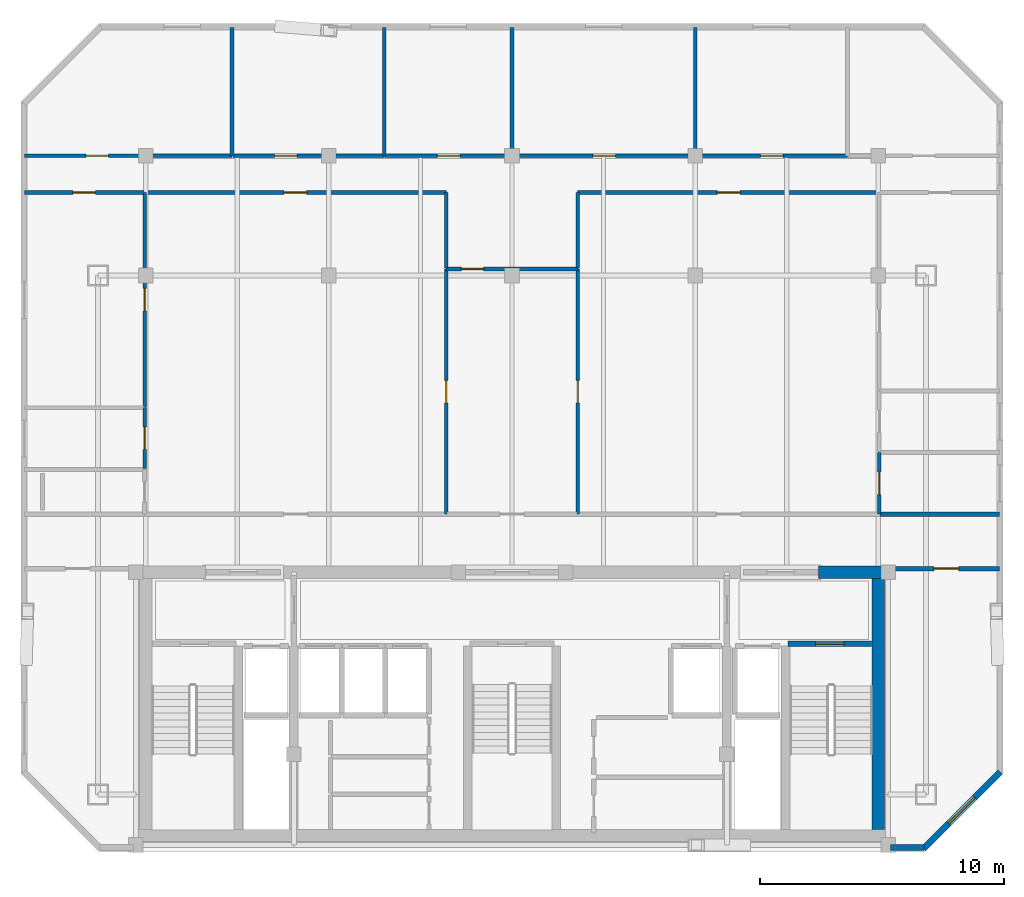
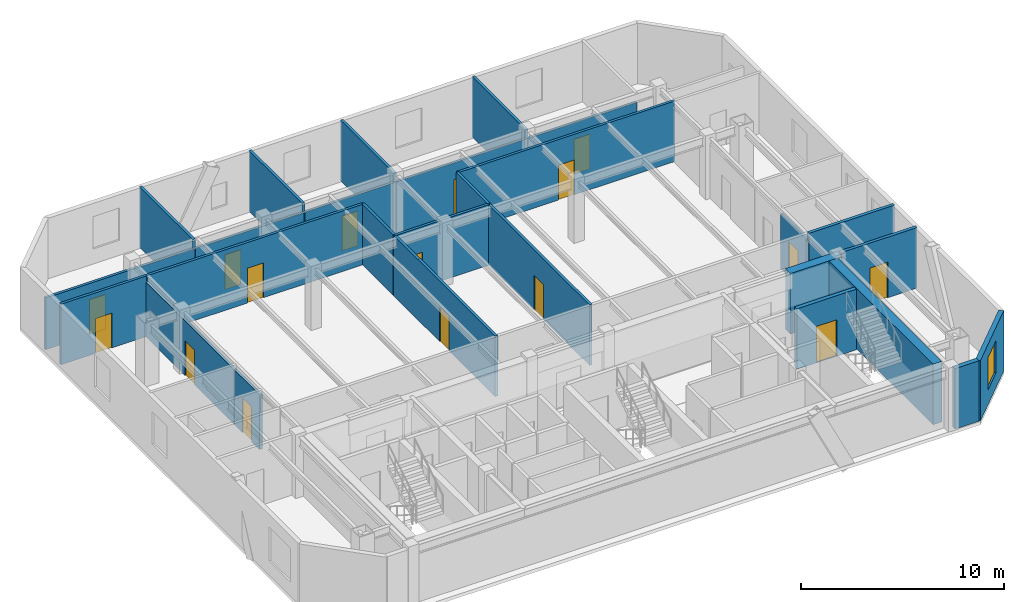
# One storey, part 4 of 6: 27 walls, 16 doors, 1 window, 17 openings.
"""IFC4 building model written with IfcOpenShell, lengths in metres."""

from ifc_helpers import new_model, si_unit, direction, frame, frame_2d, origin, place, context, subcontext, project, spatial, rectangle, extrude, material, layer, layer_set, type_object, element, fill, save


model = new_model("IFC4")

# Units and contexts
model_context = context("Model", 3, precision=1e-05, world=origin(), true_north=direction((0.0, 1.0)))
body_context = subcontext(model_context, "Body", "Model", "MODEL_VIEW")
ifc_project = project(units=[si_unit("LENGTHUNIT", "METRE"), si_unit("AREAUNIT", "SQUARE_METRE"), si_unit("VOLUMEUNIT", "CUBIC_METRE"), si_unit("PLANEANGLEUNIT", "RADIAN"), si_unit("MASSUNIT", "GRAM", prefix="KILO")], contexts=[model_context])

# Site, building, storey
site_placement = place(None, origin())
site = spatial("IfcSite", under=ifc_project, at=site_placement, CompositionType="ELEMENT")
building_placement = place(site_placement, origin())
building = spatial("IfcBuilding", under=site, at=building_placement, Name="Ventersveld Concourse Tower", CompositionType="ELEMENT")
storey_placement = place(building_placement, frame((0.0, 0.0, 296.449951171875)))
storey = spatial("IfcBuildingStorey", under=building, at=storey_placement, Name="L73", CompositionType="ELEMENT", Elevation=296.449951171875)

# Walls
ifc_material_1 = material(Name="Concrete C50/60", Category="concrete")
ifc_layer_1 = layer(ifc_material_1, 0.5)
ifc_layer_set_1 = layer_set([ifc_layer_1], Name="Concrete C50/60")
wall_type_1 = type_object("IfcWallType", Name="WL-CORE-500", PredefinedType="SHEAR", material=ifc_layer_set_1)
wall_1_placement = place(storey_placement, frame((43.75, 0.919921875, 0.0), z_axis=(0.0, 0.0, 1.0), x_axis=(0.0, 1.0, 0.0)))
element("IfcWall", 1, at=wall_1_placement, inside=storey, type_object=wall_type_1, Name="L73 Rear Core East Shear Wall", PredefinedType="SHEAR", context=body_context, shape_type="SweptSolid", body=[
    extrude(rectangle(XDim=10.530029296875, YDim=0.5, at=frame_2d((5.26513671875, 0.0))), origin(), (0.0, 0.0, 1.0), 3.650146484375),
])
wall_2_placement = place(storey_placement, frame((41.300048828125, 11.449951171875, 0.0), z_axis=(0.0, 0.0, 1.0), x_axis=(1.0, 0.0, 0.0)))
element("IfcWall", 2, at=wall_2_placement, inside=storey, type_object=wall_type_1, Name="L73 Rear Core North Shear Wall NE", PredefinedType="SHEAR", context=body_context, shape_type="SweptSolid", body=[
    extrude(rectangle(XDim=2.949951171875, YDim=0.5, at=frame_2d((1.47509765625, 0.0))), origin(), (0.0, 0.0, 1.0), 3.650146484375),
])

# Wall, opening, door
ifc_material_2 = material(Name="Fire-rated autoclaved aerated masonry blockwork", Category="masonry")
ifc_layer_2 = layer(ifc_material_2, 0.179931640625)
ifc_layer_set_2 = layer_set([ifc_layer_2], Name="Fire-rated autoclaved aerated masonry blockwork")
wall_type_2 = type_object("IfcWallType", Name="WL-CORR-180", PredefinedType="PARTITIONING", material=ifc_layer_set_2)
wall_3_placement = place(storey_placement, frame((44.35498046875, 11.60009765625, 0.0), z_axis=(0.0, 0.0, 1.0), x_axis=(1.0, 0.0, 0.0)))
wall_3 = element("IfcWall", 3, at=wall_3_placement, inside=storey, type_object=wall_type_2, Name="L73 Interior Partition SP-L73-SE-OFF-SP-L73-COR", PredefinedType="PARTITIONING", context=body_context, shape_type="SweptSolid", body=[
    extrude(rectangle(XDim=4.35791015625, YDim=0.179931640625, at=frame_2d((2.178955078125, 0.0))), origin(), (0.0, 0.0, 1.0), 3.650146484375),
])
opening_1_placement = place(wall_3_placement, frame((1.678955078125, 0.0, 0.0)))
opening_1 = element("IfcOpeningElement", 4, at=opening_1_placement, cuts=wall_3, Name="Opening FD3", PredefinedType="OPENING", context=body_context, shape_type="SweptSolid", body=[
    extrude(rectangle(XDim=1.0, YDim=2.14990234375, at=frame_2d((0.5, 1.074951171875))), frame((0.0, 0.10009765625, 0.0), z_axis=(0.0, -1.0, 0.0), x_axis=(1.0, 0.0, 0.0)), (0.0, 0.0, 1.0), 0.199951171875),
])
ifc_material_3 = material(Name="Solid-core hardwood veneer timber", Category="wood")
door_type_1 = type_object("IfcDoorType", Name="DR-FLAT-100", OperationType="NOTDEFINED", PredefinedType="DOOR", material=ifc_material_3)
door_1_placement = place(opening_1_placement, origin())
door_1 = element("IfcDoor", 5, at=door_1_placement, inside=storey, type_object=door_type_1, Name="L73 Interior Door SP-L73-SE-OFF to SP-L73-COR (D-L73-3381)", OperationType="SINGLE_SWING_LEFT", OverallHeight=2.14990234375, OverallWidth=1.0, PredefinedType="DOOR", context=body_context, shape_type="SweptSolid", body=[
    extrude(rectangle(XDim=1.0, YDim=2.14990234375, at=frame_2d((0.5, 1.074951171875))), frame((0.0, 0.02490234375, 0.0), z_axis=(0.0, -1.0, 0.0), x_axis=(1.0, 0.0, 0.0)), (0.0, 0.0, 1.0), 0.050048828125),
])
fill(opening_1, door_1)

# Wall
wall_4_placement = place(storey_placement, frame((43.827392578125, 13.830078125, 0.0), z_axis=(0.0, 0.0, 1.0), x_axis=(1.0, 0.0, 0.0)))
element("IfcWall", 6, at=wall_4_placement, inside=storey, type_object=wall_type_2, Name="L73 Interior Partition SP-L73-COR-SP-L73-73N1-KIT", PredefinedType="PARTITIONING", context=body_context, shape_type="SweptSolid", body=[
    extrude(rectangle(XDim=4.885498046875, YDim=0.179931640625, at=frame_2d((2.44287109375, 0.0))), origin(), (0.0, 0.0, 1.0), 3.650146484375),
])

# Wall, opening, door
ifc_layer_3 = layer(ifc_material_2, 0.219970703125)
ifc_layer_set_3 = layer_set([ifc_layer_3], Name="Fire-rated autoclaved aerated masonry blockwork")
wall_type_3 = type_object("IfcWallType", Name="WL-HOIST-220", PredefinedType="SOLIDWALL", material=ifc_layer_set_3)
wall_5_placement = place(storey_placement, frame((40.06005859375, 8.52001953125, 0.0), z_axis=(0.0, 0.0, 1.0), x_axis=(1.0, 0.0, 0.0)))
wall_5 = element("IfcWall", 7, at=wall_5_placement, inside=storey, type_object=wall_type_3, Name="L73 Escape Stair ST02 Fire Wall", PredefinedType="SOLIDWALL", context=body_context, shape_type="SweptSolid", body=[
    extrude(rectangle(XDim=3.39990234375, YDim=0.219970703125, at=frame_2d((1.699951171875, 0.0))), origin(), (0.0, 0.0, 1.0), 3.650146484375),
])
opening_2_placement = place(wall_5_placement, frame((1.125, 0.0, 0.0)))
opening_2 = element("IfcOpeningElement", 8, at=opening_2_placement, cuts=wall_5, Name="Opening FD1", PredefinedType="OPENING", context=body_context, shape_type="SweptSolid", body=[
    extrude(rectangle(XDim=1.14990234375, YDim=2.199951171875, at=frame_2d((0.574951171875, 1.10009765625))), frame((0.0, 0.1201171875, 0.0), z_axis=(0.0, -1.0, 0.0), x_axis=(1.0, 0.0, 0.0)), (0.0, 0.0, 1.0), 0.239990234375),
])
ifc_material_4 = material(Name="Galvanised painted steel", Category="steel")
door_type_2 = type_object("IfcDoorType", Name="DR-STAIR-115", OperationType="NOTDEFINED", PredefinedType="DOOR", material=ifc_material_4)
door_2_placement = place(opening_2_placement, origin())
door_2 = element("IfcDoor", 9, at=door_2_placement, inside=storey, type_object=door_type_2, Name="L73 Escape Stair Door ST02 (SD-L73-3368)", OperationType="SINGLE_SWING_RIGHT", OverallHeight=2.199951171875, OverallWidth=1.14990234375, PredefinedType="DOOR", context=body_context, shape_type="SweptSolid", body=[
    extrude(rectangle(XDim=1.14990234375, YDim=2.199951171875, at=frame_2d((0.574951171875, 1.10009765625))), frame((0.0, 0.02490234375, 0.0), z_axis=(0.0, -1.0, 0.0), x_axis=(1.0, 0.0, 0.0)), (0.0, 0.0, 1.0), 0.050048828125),
])
fill(opening_2, door_2)

ifc_material_5 = material(Name="Autoclaved aerated masonry blockwork", Category="masonry")
ifc_layer_4 = layer(ifc_material_5, 0.14990234375)
ifc_layer_set_4 = layer_set([ifc_layer_4], Name="Autoclaved aerated masonry blockwork")
wall_type_4 = type_object("IfcWallType", Name="WL-INT-150", PredefinedType="PARTITIONING", material=ifc_layer_set_4)
wall_6_placement = place(storey_placement, frame((26.06005859375, 13.824951171875, 0.0), z_axis=(0.0, 0.0, 1.0), x_axis=(0.0, 1.0, 0.0)))
wall_6 = element("IfcWall", 10, at=wall_6_placement, inside=storey, type_object=wall_type_4, Name="L73 Interior Partition SP-L73-73N1-WGAL1-SP-L73-73N1-FOY", PredefinedType="PARTITIONING", context=body_context, shape_type="SweptSolid", body=[
    extrude(rectangle(XDim=10.04736328125, YDim=0.14990234375, at=frame_2d((5.023681640625, 0.0))), origin(), (0.0, 0.0, 1.0), 3.650146484375),
])
opening_3_placement = place(wall_6_placement, frame((4.563720703125, 0.0, 0.0)))
opening_3 = element("IfcOpeningElement", 11, at=opening_3_placement, cuts=wall_6, Name="Opening ID1", PredefinedType="OPENING", context=body_context, shape_type="SweptSolid", body=[
    extrude(rectangle(XDim=0.919921875, YDim=2.10009765625, at=frame_2d((0.4599609375, 1.050048828125))), frame((0.0, 0.0849609375, 0.0), z_axis=(0.0, -1.0, 0.0), x_axis=(1.0, 0.0, 0.0)), (0.0, 0.0, 1.0), 0.169921875),
])
door_type_3 = type_object("IfcDoorType", Name="DR-ROOM-092", OperationType="NOTDEFINED", PredefinedType="DOOR", material=ifc_material_3)
door_3_placement = place(opening_3_placement, origin())
door_3 = element("IfcDoor", 12, at=door_3_placement, inside=storey, type_object=door_type_3, Name="L73 Interior Door SP-L73-73N1-WGAL1 to SP-L73-73N1-FOY (D-L73-3385)", OperationType="SINGLE_SWING_LEFT", OverallHeight=2.10009765625, OverallWidth=0.919921875, PredefinedType="DOOR", context=body_context, shape_type="SweptSolid", body=[
    extrude(rectangle(XDim=0.919921875, YDim=2.10009765625, at=frame_2d((0.4599609375, 1.050048828125))), frame((0.0, 0.02490234375, 0.0), z_axis=(0.0, -1.0, 0.0), x_axis=(1.0, 0.0, 0.0)), (0.0, 0.0, 1.0), 0.050048828125),
])
fill(opening_3, door_3)

wall_7_placement = place(storey_placement, frame((13.702392578125, 27.0, 0.0), z_axis=(0.0, 0.0, 1.0), x_axis=(1.0, 0.0, 0.0)))
wall_7 = element("IfcWall", 13, at=wall_7_placement, inside=storey, type_object=wall_type_4, Name="L73 Interior Partition SP-L73-73N1-WGAL1-SP-L73-73N1-LIV", PredefinedType="PARTITIONING", context=body_context, shape_type="SweptSolid", body=[
    extrude(rectangle(XDim=12.362548828125, YDim=0.14990234375, at=frame_2d((6.18115234375, 0.0))), origin(), (0.0, 0.0, 1.0), 3.650146484375),
])
opening_4_placement = place(wall_7_placement, frame((5.72119140625, 0.0, 0.0)))
opening_4 = element("IfcOpeningElement", 14, at=opening_4_placement, cuts=wall_7, Name="Opening ID1", PredefinedType="OPENING", context=body_context, shape_type="SweptSolid", body=[
    extrude(rectangle(XDim=0.919921875, YDim=2.10009765625, at=frame_2d((0.4599609375, 1.050048828125))), frame((0.0, 0.0849609375, 0.0), z_axis=(0.0, -1.0, 0.0), x_axis=(1.0, 0.0, 0.0)), (0.0, 0.0, 1.0), 0.169921875),
])
door_4_placement = place(opening_4_placement, origin())
door_4 = element("IfcDoor", 15, at=door_4_placement, inside=storey, type_object=door_type_3, Name="L73 Interior Door SP-L73-73N1-WGAL1 to SP-L73-73N1-LIV (D-L73-3386)", OperationType="SINGLE_SWING_RIGHT", OverallHeight=2.10009765625, OverallWidth=0.919921875, PredefinedType="DOOR", context=body_context, shape_type="SweptSolid", body=[
    extrude(rectangle(XDim=0.919921875, YDim=2.10009765625, at=frame_2d((0.4599609375, 1.050048828125))), frame((0.0, 0.02490234375, 0.0), z_axis=(0.0, -1.0, 0.0), x_axis=(1.0, 0.0, 0.0)), (0.0, 0.0, 1.0), 0.050048828125),
])
fill(opening_4, door_4)

# Wall
wall_8_placement = place(storey_placement, frame((26.06005859375, 23.90234375, 0.0), z_axis=(0.0, 0.0, 1.0), x_axis=(0.0, 1.0, 0.0)))
element("IfcWall", 16, at=wall_8_placement, inside=storey, type_object=wall_type_4, Name="L73 Interior Partition SP-L73-73N1-WGAL1-SP-L73-73N1-LIV", PredefinedType="PARTITIONING", context=body_context, shape_type="SweptSolid", body=[
    extrude(rectangle(XDim=3.1025390625, YDim=0.14990234375, at=frame_2d((1.55126953125, 0.0))), origin(), (0.0, 0.0, 1.0), 3.650146484375),
])

# Wall, opening, door
wall_9_placement = place(storey_placement, frame((13.70751953125, 15.695068359375, 0.0), z_axis=(0.0, 0.0, 1.0), x_axis=(0.0, 1.0, 0.0)))
wall_9 = element("IfcWall", 17, at=wall_9_placement, inside=storey, type_object=wall_type_4, Name="L73 Interior Partition SP-L73-73N1-WGAL1-SP-L73-73N1-PANL2", PredefinedType="PARTITIONING", context=body_context, shape_type="SweptSolid", body=[
    extrude(rectangle(XDim=2.491455078125, YDim=0.14990234375, at=frame_2d((1.24560546875, 0.0))), origin(), (0.0, 0.0, 1.0), 3.295166015625),
])
opening_5_placement = place(wall_9_placement, frame((0.785888671875, 0.0, 0.0)))
opening_5 = element("IfcOpeningElement", 18, at=opening_5_placement, cuts=wall_9, Name="Opening ID1", PredefinedType="OPENING", context=body_context, shape_type="SweptSolid", body=[
    extrude(rectangle(XDim=0.919921875, YDim=2.10009765625, at=frame_2d((0.4599609375, 1.050048828125))), frame((0.0, 0.0849609375, 0.0), z_axis=(0.0, -1.0, 0.0), x_axis=(1.0, 0.0, 0.0)), (0.0, 0.0, 1.0), 0.169921875),
])
door_5_placement = place(opening_5_placement, origin())
door_5 = element("IfcDoor", 19, at=door_5_placement, inside=storey, type_object=door_type_3, Name="L73 Interior Door SP-L73-73N1-WGAL1 to SP-L73-73N1-PANL2 (D-L73-3388)", OperationType="SINGLE_SWING_RIGHT", OverallHeight=2.10009765625, OverallWidth=0.919921875, PredefinedType="DOOR", context=body_context, shape_type="SweptSolid", body=[
    extrude(rectangle(XDim=0.919921875, YDim=2.10009765625, at=frame_2d((0.4599609375, 1.050048828125))), frame((0.0, 0.02490234375, 0.0), z_axis=(0.0, -1.0, 0.0), x_axis=(1.0, 0.0, 0.0)), (0.0, 0.0, 1.0), 0.050048828125),
])
fill(opening_5, door_5)

wall_10_placement = place(storey_placement, frame((13.70751953125, 18.216552734375, 0.0), z_axis=(0.0, 0.0, 1.0), x_axis=(0.0, 1.0, 0.0)))
wall_10 = element("IfcWall", 20, at=wall_10_placement, inside=storey, type_object=wall_type_4, Name="L73 Interior Partition SP-L73-73N1-WGAL1-SP-L73-73N1-OFFL0", PredefinedType="PARTITIONING", context=body_context, shape_type="SweptSolid", body=[
    extrude(rectangle(XDim=8.788330078125, YDim=0.14990234375, at=frame_2d((4.39404296875, 0.0))), origin(), (0.0, 0.0, 1.0), 3.295166015625),
])
opening_6_placement = place(wall_10_placement, frame((3.93408203125, 0.0, 0.0)))
opening_6 = element("IfcOpeningElement", 21, at=opening_6_placement, cuts=wall_10, Name="Opening ID1", PredefinedType="OPENING", context=body_context, shape_type="SweptSolid", body=[
    extrude(rectangle(XDim=0.919921875, YDim=2.10009765625, at=frame_2d((0.4599609375, 1.050048828125))), frame((0.0, 0.0849609375, 0.0), z_axis=(0.0, -1.0, 0.0), x_axis=(1.0, 0.0, 0.0)), (0.0, 0.0, 1.0), 0.169921875),
])
door_6_placement = place(opening_6_placement, origin())
door_6 = element("IfcDoor", 22, at=door_6_placement, inside=storey, type_object=door_type_3, Name="L73 Interior Door SP-L73-73N1-WGAL1 to SP-L73-73N1-OFFL0 (D-L73-3389)", OperationType="SINGLE_SWING_LEFT", OverallHeight=2.10009765625, OverallWidth=0.919921875, PredefinedType="DOOR", context=body_context, shape_type="SweptSolid", body=[
    extrude(rectangle(XDim=0.919921875, YDim=2.10009765625, at=frame_2d((0.4599609375, 1.050048828125))), frame((0.0, 0.02490234375, 0.0), z_axis=(0.0, -1.0, 0.0), x_axis=(1.0, 0.0, 0.0)), (0.0, 0.0, 1.0), 0.050048828125),
])
fill(opening_6, door_6)

wall_11_placement = place(storey_placement, frame((31.43994140625, 13.824951171875, 0.0), z_axis=(0.0, 0.0, 1.0), x_axis=(0.0, 1.0, 0.0)))
wall_11 = element("IfcWall", 23, at=wall_11_placement, inside=storey, type_object=wall_type_4, Name="L73 Interior Partition SP-L73-73N1-EGAL1-SP-L73-73N1-FOY", PredefinedType="PARTITIONING", context=body_context, shape_type="SweptSolid", body=[
    extrude(rectangle(XDim=10.04736328125, YDim=0.14990234375, at=frame_2d((5.023681640625, 0.0))), origin(), (0.0, 0.0, 1.0), 3.650146484375),
])
opening_7_placement = place(wall_11_placement, frame((4.563720703125, 0.0, 0.0)))
opening_7 = element("IfcOpeningElement", 24, at=opening_7_placement, cuts=wall_11, Name="Opening ID1", PredefinedType="OPENING", context=body_context, shape_type="SweptSolid", body=[
    extrude(rectangle(XDim=0.919921875, YDim=2.10009765625, at=frame_2d((0.4599609375, 1.050048828125))), frame((0.0, 0.0849609375, 0.0), z_axis=(0.0, -1.0, 0.0), x_axis=(1.0, 0.0, 0.0)), (0.0, 0.0, 1.0), 0.169921875),
])
door_7_placement = place(opening_7_placement, origin())
door_7 = element("IfcDoor", 25, at=door_7_placement, inside=storey, type_object=door_type_3, Name="L73 Interior Door SP-L73-73N1-EGAL1 to SP-L73-73N1-FOY (D-L73-3390)", OperationType="SINGLE_SWING_RIGHT", OverallHeight=2.10009765625, OverallWidth=0.919921875, PredefinedType="DOOR", context=body_context, shape_type="SweptSolid", body=[
    extrude(rectangle(XDim=0.919921875, YDim=2.10009765625, at=frame_2d((0.4599609375, 1.050048828125))), frame((0.0, 0.02490234375, 0.0), z_axis=(0.0, -1.0, 0.0), x_axis=(1.0, 0.0, 0.0)), (0.0, 0.0, 1.0), 0.050048828125),
])
fill(opening_7, door_7)

wall_12_placement = place(storey_placement, frame((31.43505859375, 27.0, 0.0), z_axis=(0.0, 0.0, 1.0), x_axis=(1.0, 0.0, 0.0)))
wall_12 = element("IfcWall", 26, at=wall_12_placement, inside=storey, type_object=wall_type_4, Name="L73 Interior Partition SP-L73-73N1-EGAL1-SP-L73-73N1-LIV", PredefinedType="PARTITIONING", context=body_context, shape_type="SweptSolid", body=[
    extrude(rectangle(XDim=12.362548828125, YDim=0.14990234375, at=frame_2d((6.18115234375, 0.0))), origin(), (0.0, 0.0, 1.0), 3.650146484375),
])
opening_8_placement = place(wall_12_placement, frame((5.72119140625, 0.0, 0.0)))
opening_8 = element("IfcOpeningElement", 27, at=opening_8_placement, cuts=wall_12, Name="Opening ID1", PredefinedType="OPENING", context=body_context, shape_type="SweptSolid", body=[
    extrude(rectangle(XDim=0.919921875, YDim=2.10009765625, at=frame_2d((0.4599609375, 1.050048828125))), frame((0.0, 0.0849609375, 0.0), z_axis=(0.0, -1.0, 0.0), x_axis=(1.0, 0.0, 0.0)), (0.0, 0.0, 1.0), 0.169921875),
])
door_8_placement = place(opening_8_placement, origin())
door_8 = element("IfcDoor", 28, at=door_8_placement, inside=storey, type_object=door_type_3, Name="L73 Interior Door SP-L73-73N1-EGAL1 to SP-L73-73N1-LIV (D-L73-3391)", OperationType="SINGLE_SWING_LEFT", OverallHeight=2.10009765625, OverallWidth=0.919921875, PredefinedType="DOOR", context=body_context, shape_type="SweptSolid", body=[
    extrude(rectangle(XDim=0.919921875, YDim=2.10009765625, at=frame_2d((0.4599609375, 1.050048828125))), frame((0.0, 0.02490234375, 0.0), z_axis=(0.0, -1.0, 0.0), x_axis=(1.0, 0.0, 0.0)), (0.0, 0.0, 1.0), 0.050048828125),
])
fill(opening_8, door_8)

# Wall
wall_13_placement = place(storey_placement, frame((31.43994140625, 23.90234375, 0.0), z_axis=(0.0, 0.0, 1.0), x_axis=(0.0, 1.0, 0.0)))
element("IfcWall", 29, at=wall_13_placement, inside=storey, type_object=wall_type_4, Name="L73 Interior Partition SP-L73-73N1-EGAL1-SP-L73-73N1-LIV", PredefinedType="PARTITIONING", context=body_context, shape_type="SweptSolid", body=[
    extrude(rectangle(XDim=3.1025390625, YDim=0.14990234375, at=frame_2d((1.55126953125, 0.0))), origin(), (0.0, 0.0, 1.0), 3.650146484375),
])

# Wall, opening, door
wall_14_placement = place(storey_placement, frame((43.79248046875, 13.824951171875, 0.0), z_axis=(0.0, 0.0, 1.0), x_axis=(0.0, 1.0, 0.0)))
wall_14 = element("IfcWall", 30, at=wall_14_placement, inside=storey, type_object=wall_type_4, Name="L73 Interior Partition SP-L73-73N1-EGAL1-SP-L73-73N1-KIT", PredefinedType="PARTITIONING", context=body_context, shape_type="SweptSolid", body=[
    extrude(rectangle(XDim=2.531494140625, YDim=0.14990234375, at=frame_2d((1.265625, 0.0))), origin(), (0.0, 0.0, 1.0), 3.295166015625),
])
opening_9_placement = place(wall_14_placement, frame((0.805908203125, 0.0, 0.0)))
opening_9 = element("IfcOpeningElement", 31, at=opening_9_placement, cuts=wall_14, Name="Opening ID1", PredefinedType="OPENING", context=body_context, shape_type="SweptSolid", body=[
    extrude(rectangle(XDim=0.919921875, YDim=2.10009765625, at=frame_2d((0.4599609375, 1.050048828125))), frame((0.0, 0.0849609375, 0.0), z_axis=(0.0, -1.0, 0.0), x_axis=(1.0, 0.0, 0.0)), (0.0, 0.0, 1.0), 0.169921875),
])
door_9_placement = place(opening_9_placement, origin())
door_9 = element("IfcDoor", 32, at=door_9_placement, inside=storey, type_object=door_type_3, Name="L73 Interior Door SP-L73-73N1-EGAL1 to SP-L73-73N1-KIT (D-L73-3392)", OperationType="SINGLE_SWING_RIGHT", OverallHeight=2.10009765625, OverallWidth=0.919921875, PredefinedType="DOOR", context=body_context, shape_type="SweptSolid", body=[
    extrude(rectangle(XDim=0.919921875, YDim=2.10009765625, at=frame_2d((0.4599609375, 1.050048828125))), frame((0.0, 0.02490234375, 0.0), z_axis=(0.0, -1.0, 0.0), x_axis=(1.0, 0.0, 0.0)), (0.0, 0.0, 1.0), 0.050048828125),
])
fill(opening_9, door_9)

wall_15_placement = place(storey_placement, frame((26.054931640625, 23.8671875, 0.0), z_axis=(0.0, 0.0, 1.0), x_axis=(1.0, 0.0, 0.0)))
wall_15 = element("IfcWall", 33, at=wall_15_placement, inside=storey, type_object=wall_type_4, Name="L73 Interior Partition SP-L73-73N1-FOY-SP-L73-73N1-LIV", PredefinedType="PARTITIONING", context=body_context, shape_type="SweptSolid", body=[
    extrude(rectangle(XDim=5.39013671875, YDim=0.14990234375, at=frame_2d((2.695068359375, 0.0))), origin(), (0.0, 0.0, 1.0), 3.650146484375),
])
opening_10_placement = place(wall_15_placement, frame((0.617919921875, 0.0, 0.0)))
opening_10 = element("IfcOpeningElement", 34, at=opening_10_placement, cuts=wall_15, Name="Opening ID1", PredefinedType="OPENING", context=body_context, shape_type="SweptSolid", body=[
    extrude(rectangle(XDim=0.919921875, YDim=2.10009765625, at=frame_2d((0.4599609375, 1.050048828125))), frame((0.0, 0.0849609375, 0.0), z_axis=(0.0, -1.0, 0.0), x_axis=(1.0, 0.0, 0.0)), (0.0, 0.0, 1.0), 0.169921875),
])
door_10_placement = place(opening_10_placement, origin())
door_10 = element("IfcDoor", 35, at=door_10_placement, inside=storey, type_object=door_type_3, Name="L73 Interior Door SP-L73-73N1-FOY to SP-L73-73N1-LIV (D-L73-3395)", OperationType="SINGLE_SWING_LEFT", OverallHeight=2.10009765625, OverallWidth=0.919921875, PredefinedType="DOOR", context=body_context, shape_type="SweptSolid", body=[
    extrude(rectangle(XDim=0.919921875, YDim=2.10009765625, at=frame_2d((0.4599609375, 1.050048828125))), frame((0.0, 0.02490234375, 0.0), z_axis=(0.0, -1.0, 0.0), x_axis=(1.0, 0.0, 0.0)), (0.0, 0.0, 1.0), 0.050048828125),
])
fill(opening_10, door_10)

wall_16_placement = place(storey_placement, frame((8.787109375, 27.0, 0.0), z_axis=(0.0, 0.0, 1.0), x_axis=(1.0, 0.0, 0.0)))
wall_16 = element("IfcWall", 36, at=wall_16_placement, inside=storey, type_object=wall_type_4, Name="L73 Interior Partition SP-L73-73N1-LIV-SP-L73-73N1-OFFL0", PredefinedType="PARTITIONING", context=body_context, shape_type="SweptSolid", body=[
    extrude(rectangle(XDim=4.885498046875, YDim=0.14990234375, at=frame_2d((2.44287109375, 0.0))), origin(), (0.0, 0.0, 1.0), 3.650146484375),
])
opening_11_placement = place(wall_16_placement, frame((1.98291015625, 0.0, 0.0)))
opening_11 = element("IfcOpeningElement", 37, at=opening_11_placement, cuts=wall_16, Name="Opening ID1", PredefinedType="OPENING", context=body_context, shape_type="SweptSolid", body=[
    extrude(rectangle(XDim=0.919921875, YDim=2.10009765625, at=frame_2d((0.4599609375, 1.050048828125))), frame((0.0, 0.0849609375, 0.0), z_axis=(0.0, -1.0, 0.0), x_axis=(1.0, 0.0, 0.0)), (0.0, 0.0, 1.0), 0.169921875),
])
door_11_placement = place(opening_11_placement, origin())
door_11 = element("IfcDoor", 38, at=door_11_placement, inside=storey, type_object=door_type_3, Name="L73 Interior Door SP-L73-73N1-LIV to SP-L73-73N1-OFFL0 (D-L73-3396)", OperationType="SINGLE_SWING_RIGHT", OverallHeight=2.10009765625, OverallWidth=0.919921875, PredefinedType="DOOR", context=body_context, shape_type="SweptSolid", body=[
    extrude(rectangle(XDim=0.919921875, YDim=2.10009765625, at=frame_2d((0.4599609375, 1.050048828125))), frame((0.0, 0.02490234375, 0.0), z_axis=(0.0, -1.0, 0.0), x_axis=(1.0, 0.0, 0.0)), (0.0, 0.0, 1.0), 0.050048828125),
])
fill(opening_11, door_11)

wall_17_placement = place(storey_placement, frame((8.787109375, 28.5, 0.0), z_axis=(0.0, 0.0, 1.0), x_axis=(1.0, 0.0, 0.0)))
wall_17 = element("IfcWall", 39, at=wall_17_placement, inside=storey, type_object=wall_type_4, Name="L73 Interior Partition SP-L73-73N1-LIV-SP-L73-73N1-BR1", PredefinedType="PARTITIONING", context=body_context, shape_type="SweptSolid", body=[
    extrude(rectangle(XDim=8.5, YDim=0.14990234375, at=frame_2d((4.25, 0.0))), origin(), (0.0, 0.0, 1.0), 3.116943359375),
])
opening_12_placement = place(wall_17_placement, frame((2.514892578125, 0.0, 0.0)))
opening_12 = element("IfcOpeningElement", 40, at=opening_12_placement, cuts=wall_17, Name="Opening ID1", PredefinedType="OPENING", context=body_context, shape_type="SweptSolid", body=[
    extrude(rectangle(XDim=0.919921875, YDim=2.10009765625, at=frame_2d((0.4599609375, 1.050048828125))), frame((0.0, 0.0849609375, 0.0), z_axis=(0.0, -1.0, 0.0), x_axis=(1.0, 0.0, 0.0)), (0.0, 0.0, 1.0), 0.169921875),
])
door_12_placement = place(opening_12_placement, origin())
door_12 = element("IfcDoor", 41, at=door_12_placement, inside=storey, type_object=door_type_3, Name="L73 Interior Door SP-L73-73N1-LIV to SP-L73-73N1-BR1 (D-L73-3398)", OperationType="SINGLE_SWING_RIGHT", OverallHeight=2.10009765625, OverallWidth=0.919921875, PredefinedType="DOOR", context=body_context, shape_type="SweptSolid", body=[
    extrude(rectangle(XDim=0.919921875, YDim=2.10009765625, at=frame_2d((0.4599609375, 1.050048828125))), frame((0.0, 0.02490234375, 0.0), z_axis=(0.0, -1.0, 0.0), x_axis=(1.0, 0.0, 0.0)), (0.0, 0.0, 1.0), 0.050048828125),
])
fill(opening_12, door_12)

wall_18_placement = place(storey_placement, frame((17.317138671875, 28.5, 0.0), z_axis=(0.0, 0.0, 1.0), x_axis=(1.0, 0.0, 0.0)))
wall_18 = element("IfcWall", 42, at=wall_18_placement, inside=storey, type_object=wall_type_4, Name="L73 Interior Partition SP-L73-73N1-LIV-SP-L73-73N1-BR2", PredefinedType="PARTITIONING", context=body_context, shape_type="SweptSolid", body=[
    extrude(rectangle(XDim=6.208740234375, YDim=0.14990234375, at=frame_2d((3.1044921875, 0.0))), origin(), (0.0, 0.0, 1.0), 3.116943359375),
])
opening_13_placement = place(wall_18_placement, frame((1.713134765625, 0.0, 0.0)))
opening_13 = element("IfcOpeningElement", 43, at=opening_13_placement, cuts=wall_18, Name="Opening ID1", PredefinedType="OPENING", context=body_context, shape_type="SweptSolid", body=[
    extrude(rectangle(XDim=0.919921875, YDim=2.10009765625, at=frame_2d((0.4599609375, 1.050048828125))), frame((0.0, 0.0849609375, 0.0), z_axis=(0.0, -1.0, 0.0), x_axis=(1.0, 0.0, 0.0)), (0.0, 0.0, 1.0), 0.169921875),
])
door_13_placement = place(opening_13_placement, origin())
door_13 = element("IfcDoor", 44, at=door_13_placement, inside=storey, type_object=door_type_3, Name="L73 Interior Door SP-L73-73N1-LIV to SP-L73-73N1-BR2 (D-L73-3399)", OperationType="SINGLE_SWING_LEFT", OverallHeight=2.10009765625, OverallWidth=0.919921875, PredefinedType="DOOR", context=body_context, shape_type="SweptSolid", body=[
    extrude(rectangle(XDim=0.919921875, YDim=2.10009765625, at=frame_2d((0.4599609375, 1.050048828125))), frame((0.0, 0.02490234375, 0.0), z_axis=(0.0, -1.0, 0.0), x_axis=(1.0, 0.0, 0.0)), (0.0, 0.0, 1.0), 0.050048828125),
])
fill(opening_13, door_13)

wall_19_placement = place(storey_placement, frame((23.555908203125, 28.5, 0.0), z_axis=(0.0, 0.0, 1.0), x_axis=(1.0, 0.0, 0.0)))
wall_19 = element("IfcWall", 45, at=wall_19_placement, inside=storey, type_object=wall_type_4, Name="L73 Interior Partition SP-L73-73N1-LIV-SP-L73-73N1-BR3", PredefinedType="PARTITIONING", context=body_context, shape_type="SweptSolid", body=[
    extrude(rectangle(XDim=5.198974609375, YDim=0.14990234375, at=frame_2d((2.599609375, 0.0))), origin(), (0.0, 0.0, 1.0), 3.116943359375),
])
opening_14_placement = place(wall_19_placement, frame((2.139404296875, 0.0, 0.0)))
opening_14 = element("IfcOpeningElement", 46, at=opening_14_placement, cuts=wall_19, Name="Opening ID1", PredefinedType="OPENING", context=body_context, shape_type="SweptSolid", body=[
    extrude(rectangle(XDim=0.919921875, YDim=2.10009765625, at=frame_2d((0.4599609375, 1.050048828125))), frame((0.0, 0.0849609375, 0.0), z_axis=(0.0, -1.0, 0.0), x_axis=(1.0, 0.0, 0.0)), (0.0, 0.0, 1.0), 0.169921875),
])
door_14_placement = place(opening_14_placement, origin())
door_14 = element("IfcDoor", 47, at=door_14_placement, inside=storey, type_object=door_type_3, Name="L73 Interior Door SP-L73-73N1-LIV to SP-L73-73N1-BR3 (D-L73-3400)", OperationType="SINGLE_SWING_RIGHT", OverallHeight=2.10009765625, OverallWidth=0.919921875, PredefinedType="DOOR", context=body_context, shape_type="SweptSolid", body=[
    extrude(rectangle(XDim=0.919921875, YDim=2.10009765625, at=frame_2d((0.4599609375, 1.050048828125))), frame((0.0, 0.02490234375, 0.0), z_axis=(0.0, -1.0, 0.0), x_axis=(1.0, 0.0, 0.0)), (0.0, 0.0, 1.0), 0.050048828125),
])
fill(opening_14, door_14)

wall_20_placement = place(storey_placement, frame((28.784912109375, 28.5, 0.0), z_axis=(0.0, 0.0, 1.0), x_axis=(1.0, 0.0, 0.0)))
wall_20 = element("IfcWall", 48, at=wall_20_placement, inside=storey, type_object=wall_type_4, Name="L73 Interior Partition SP-L73-73N1-LIV-SP-L73-73N1-BR4", PredefinedType="PARTITIONING", context=body_context, shape_type="SweptSolid", body=[
    extrude(rectangle(XDim=7.469970703125, YDim=0.14990234375, at=frame_2d((3.73486328125, 0.0))), origin(), (0.0, 0.0, 1.0), 3.116943359375),
])
opening_15_placement = place(wall_20_placement, frame((3.27490234375, 0.0, 0.0)))
opening_15 = element("IfcOpeningElement", 49, at=opening_15_placement, cuts=wall_20, Name="Opening ID1", PredefinedType="OPENING", context=body_context, shape_type="SweptSolid", body=[
    extrude(rectangle(XDim=0.919921875, YDim=2.10009765625, at=frame_2d((0.4599609375, 1.050048828125))), frame((0.0, 0.0849609375, 0.0), z_axis=(0.0, -1.0, 0.0), x_axis=(1.0, 0.0, 0.0)), (0.0, 0.0, 1.0), 0.169921875),
])
door_15_placement = place(opening_15_placement, origin())
door_15 = element("IfcDoor", 50, at=door_15_placement, inside=storey, type_object=door_type_3, Name="L73 Interior Door SP-L73-73N1-LIV to SP-L73-73N1-BR4 (D-L73-3401)", OperationType="SINGLE_SWING_LEFT", OverallHeight=2.10009765625, OverallWidth=0.919921875, PredefinedType="DOOR", context=body_context, shape_type="SweptSolid", body=[
    extrude(rectangle(XDim=0.919921875, YDim=2.10009765625, at=frame_2d((0.4599609375, 1.050048828125))), frame((0.0, 0.02490234375, 0.0), z_axis=(0.0, -1.0, 0.0), x_axis=(1.0, 0.0, 0.0)), (0.0, 0.0, 1.0), 0.050048828125),
])
fill(opening_15, door_15)

wall_21_placement = place(storey_placement, frame((36.284912109375, 28.5, 0.0), z_axis=(0.0, 0.0, 1.0), x_axis=(1.0, 0.0, 0.0)))
wall_21 = element("IfcWall", 51, at=wall_21_placement, inside=storey, type_object=wall_type_4, Name="L73 Interior Partition SP-L73-73N1-LIV-SP-L73-73N1-BR5", PredefinedType="PARTITIONING", context=body_context, shape_type="SweptSolid", body=[
    extrude(rectangle(XDim=6.208984375, YDim=0.14990234375, at=frame_2d((3.1044921875, 0.0))), origin(), (0.0, 0.0, 1.0), 3.116943359375),
])
opening_16_placement = place(wall_21_placement, frame((2.644287109375, 0.0, 0.0)))
opening_16 = element("IfcOpeningElement", 52, at=opening_16_placement, cuts=wall_21, Name="Opening ID1", PredefinedType="OPENING", context=body_context, shape_type="SweptSolid", body=[
    extrude(rectangle(XDim=0.919921875, YDim=2.10009765625, at=frame_2d((0.4599609375, 1.050048828125))), frame((0.0, 0.0849609375, 0.0), z_axis=(0.0, -1.0, 0.0), x_axis=(1.0, 0.0, 0.0)), (0.0, 0.0, 1.0), 0.169921875),
])
door_16_placement = place(opening_16_placement, origin())
door_16 = element("IfcDoor", 53, at=door_16_placement, inside=storey, type_object=door_type_3, Name="L73 Interior Door SP-L73-73N1-LIV to SP-L73-73N1-BR5 (D-L73-3402)", OperationType="SINGLE_SWING_RIGHT", OverallHeight=2.10009765625, OverallWidth=0.919921875, PredefinedType="DOOR", context=body_context, shape_type="SweptSolid", body=[
    extrude(rectangle(XDim=0.919921875, YDim=2.10009765625, at=frame_2d((0.4599609375, 1.050048828125))), frame((0.0, 0.02490234375, 0.0), z_axis=(0.0, -1.0, 0.0), x_axis=(1.0, 0.0, 0.0)), (0.0, 0.0, 1.0), 0.050048828125),
])
fill(opening_16, door_16)

# Walls
for number, where, z_axis, x_axis, name in (
    (54, (17.281982421875, 28.4951171875, 0.0), (0.0, 0.0, 1.0), (0.0, 1.0, 0.0), "L73 Interior Partition SP-L73-73N1-BR1-SP-L73-73N1-BR2"),
    (55, (23.52099609375, 28.4951171875, 0.0), (0.0, 0.0, 1.0), (0.0, 1.0, 0.0), "L73 Interior Partition SP-L73-73N1-BR2-SP-L73-73N1-BR3"),
    (56, (28.75, 28.4951171875, 0.0), (0.0, 0.0, 1.0), (0.0, 1.0, 0.0), "L73 Interior Partition SP-L73-73N1-BR3-SP-L73-73N1-BR4"),
    (57, (36.25, 28.4951171875, 0.0), (0.0, 0.0, 1.0), (0.0, 1.0, 0.0), "L73 Interior Partition SP-L73-73N1-BR4-SP-L73-73N1-BR5"),
):
    element("IfcWall", number, at=place(storey_placement, frame(where, z_axis=z_axis, x_axis=x_axis)), inside=storey, type_object=wall_type_4, Name=name, PredefinedType="PARTITIONING", context=body_context, shape_type="SweptSolid", body=[
        extrude(rectangle(XDim=5.265380859375, YDim=0.14990234375, at=frame_2d((2.6328125, 0.0))), origin(), (0.0, 0.0, 1.0), 3.650146484375),
    ])
ifc_material_6 = material(Name="Precast concrete C45/55", Category="concrete")
ifc_layer_5 = layer(ifc_material_6, 0.260009765625)
ifc_layer_set_5 = layer_set([ifc_layer_5], Name="Precast concrete C45/55")
wall_type_5 = type_object("IfcWallType", Name="WL-PREC-260", PredefinedType="SOLIDWALL", material=ifc_layer_set_5)
wall_22_placement = place(storey_placement, frame((44.25, 0.179931640625, 0.0), z_axis=(0.0, 0.0, 1.0), x_axis=(1.0, 0.0, 0.0)))
element("IfcWall", 58, at=wall_22_placement, inside=storey, type_object=wall_type_5, Name="L73 South-East Flank Precast Wall", PredefinedType="SOLIDWALL", context=body_context, shape_type="SweptSolid", body=[
    extrude(rectangle(XDim=1.37255859375, YDim=0.260009765625, at=frame_2d((0.686279296875, 0.0))), origin(), (0.0, 0.0, 1.0), 3.650146484375),
])

# Wall, opening, window
wall_23_placement = place(storey_placement, frame((45.598876953125, 0.1201171875, 0.0), z_axis=(0.0, 0.0, 1.0), x_axis=(0.707079321262, 0.707134240044, 0.0)))
wall_23 = element("IfcWall", 59, at=wall_23_placement, inside=storey, type_object=wall_type_5, Name="L73 Highveld Precast Facade Wall E02", PredefinedType="SOLIDWALL", context=body_context, shape_type="SweptSolid", body=[
    extrude(rectangle(XDim=4.445556640625, YDim=0.260009765625, at=frame_2d((2.22265625, 0.0))), origin(), (0.0, 0.0, 1.0), 3.650146484375),
])
opening_17_placement = place(wall_23_placement, frame((1.47265625, 0.0, 0.89990234375)))
opening_17 = element("IfcOpeningElement", 60, at=opening_17_placement, cuts=wall_23, Name="Opening W1", PredefinedType="OPENING", context=body_context, shape_type="SweptSolid", body=[
    extrude(rectangle(XDim=1.5, YDim=1.949951171875, at=frame_2d((0.75, 0.97509765625))), frame((0.0, 0.14013671875, 0.0), z_axis=(0.0, -1.0, 0.0), x_axis=(1.0, 0.0, 0.0)), (0.0, 0.0, 1.0), 0.280029296875),
])
ifc_material_7 = material(Name="Tempered acoustic Low-E IGU", Category="glass")
window_type = type_object("IfcWindowType", Name="WIN-150x210", PartitioningType="SINGLE_PANEL", PredefinedType="WINDOW", material=ifc_material_7)
window_placement = place(opening_17_placement, origin())
window = element("IfcWindow", 61, at=window_placement, inside=storey, type_object=window_type, Name="L73 Punched Low-E Window W-1036", OverallHeight=1.949951171875, OverallWidth=1.5, PartitioningType="SINGLE_PANEL", PredefinedType="WINDOW", context=body_context, shape_type="SweptSolid", body=[
    extrude(rectangle(XDim=1.5, YDim=1.949951171875, at=frame_2d((0.75, 0.97509765625))), frame((0.0, 0.030029296875, 0.0), z_axis=(0.0, -1.0, 0.0), x_axis=(1.0, 0.0, 0.0)), (0.0, 0.0, 1.0), 0.06005859375),
])
fill(opening_17, window)

save(model, "model.ifc")
